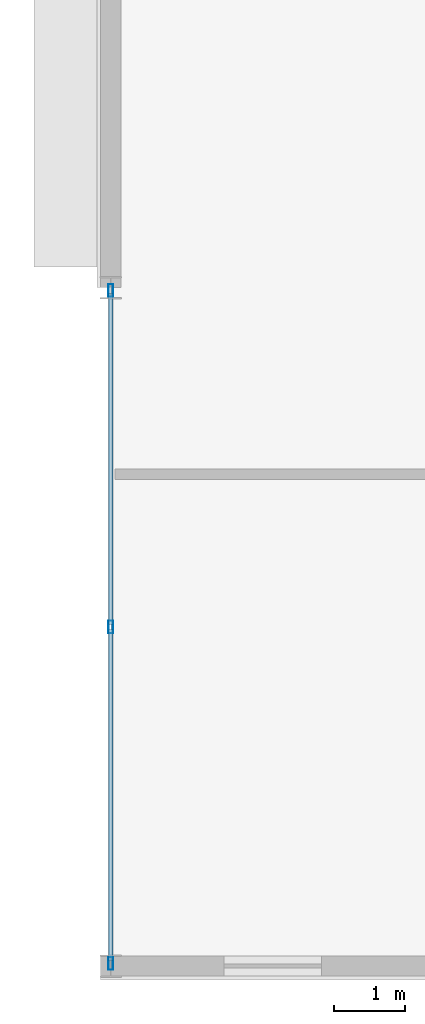
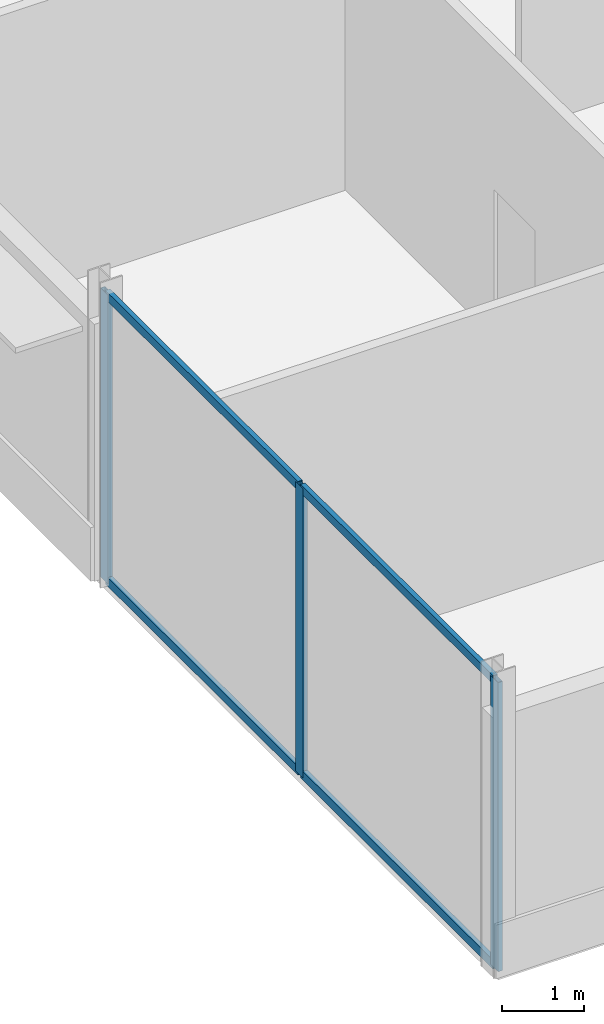
# One storey, part 3 of 10: 7 members, 1 element without a shape of its own.
"""IFC4 building model written with IfcOpenShell, lengths in metres."""

from ifc_helpers import new_model, si_unit, direction, frame, origin, origin_2d, place, context, subcontext, project, spatial, hollow_rectangle, extrude, material, material_profile, profile_set, type_object, element, aggregate, save


model = new_model("IFC4")

# Units and contexts
model_context = context("Model", 3, precision=1e-05, world=origin(), true_north=direction((0.0, 1.0)))
body_context = subcontext(model_context, "Body", "Model", "MODEL_VIEW")
ifc_project = project(units=[si_unit("LENGTHUNIT", "METRE"), si_unit("AREAUNIT", "SQUARE_METRE"), si_unit("VOLUMEUNIT", "CUBIC_METRE"), si_unit("PLANEANGLEUNIT", "RADIAN"), si_unit("MASSUNIT", "GRAM", prefix="KILO")], contexts=[model_context])

# Site, building, storey
site_placement = place(None, origin())
site = spatial("IfcSite", under=ifc_project, at=site_placement, CompositionType="ELEMENT")
building_placement = place(site_placement, origin())
building = spatial("IfcBuilding", under=site, at=building_placement, Name="Almandine Court Research Institute", CompositionType="ELEMENT")
storey_placement = place(building_placement, frame((0.0, 0.0, 41.64990234375)))
storey = spatial("IfcBuildingStorey", under=building, at=storey_placement, Name="L09", CompositionType="ELEMENT", Elevation=41.64990234375)

# Curtain wall, members
ifc_material_1 = material(Name="Unitised Curtain Wall Framing and Solar Glazing", Category="glass")
curtain_wall_type = type_object("IfcCurtainWallType", Name="CW-CWJ-11", PredefinedType="USERDEFINED", material=ifc_material_1)
curtain_wall_placement = place(storey_placement, origin())
curtain_wall = element("IfcCurtainWall", 1, at=curtain_wall_placement, inside=storey, type_object=curtain_wall_type, Name="L09 Wet Lab West Courtyard Jali Curtain Wall 1", ObjectType="SOLAR JALI SCREEN", PredefinedType="USERDEFINED")
ifc_material_2 = material(Name="Anodised Aluminium AW-6063-T6", Category="aluminium")
ifc_material_profile_1 = material_profile(ifc_material_2, hollow_rectangle(XDim=0.06494140625, YDim=0.179931640625, WallThickness=0.00390625, at=origin_2d()), Name="ALU RHS 65x180x4")
ifc_profile_set_1 = profile_set([ifc_material_profile_1], Name="Anodised Aluminium AW-6063-T6")
member_type_1 = type_object("IfcMemberType", Name="CWMul-65x180", PredefinedType="MULLION", material=ifc_profile_set_1)
member_1_placement = place(storey_placement, frame((153.60009765625, 6.03662109375, 0.0), z_axis=(0.0, 0.0, 1.0), x_axis=(-1.0, 0.0, 0.0)))
member_1 = element("IfcMember", 2, at=member_1_placement, type_object=member_type_1, Name="CWJ-11 mullion 1", PredefinedType="MULLION", context=body_context, shape_type="SweptSolid", body=[
    extrude(hollow_rectangle(XDim=0.06494140625, YDim=0.179931640625, WallThickness=0.00390625, at=origin_2d()), origin(), (0.0, 0.0, 1.0), 4.31005859375),
])
member_2_placement = place(storey_placement, frame((153.60009765625, 10.800048828125, 0.0), z_axis=(0.0, 0.0, 1.0), x_axis=(-1.0, 0.0, 0.0)))
member_2 = element("IfcMember", 3, at=member_2_placement, type_object=member_type_1, Name="CWJ-11 mullion 2", PredefinedType="MULLION", context=body_context, shape_type="SweptSolid", body=[
    extrude(hollow_rectangle(XDim=0.06494140625, YDim=0.179931640625, WallThickness=0.00390625, at=origin_2d()), origin(), (0.0, 0.0, 1.0), 4.31005859375),
])
member_3_placement = place(storey_placement, frame((153.60009765625, 15.5634765625, 0.0), z_axis=(0.0, 0.0, 1.0), x_axis=(-1.0, 0.0, 0.0)))
member_3 = element("IfcMember", 4, at=member_3_placement, type_object=member_type_1, Name="CWJ-11 mullion 3", PredefinedType="MULLION", context=body_context, shape_type="SweptSolid", body=[
    extrude(hollow_rectangle(XDim=0.06494140625, YDim=0.179931640625, WallThickness=0.00390625, at=origin_2d()), origin(), (0.0, 0.0, 1.0), 4.31005859375),
])
ifc_material_profile_2 = material_profile(ifc_material_2, hollow_rectangle(XDim=0.06494140625, YDim=0.1298828125, WallThickness=0.00390625, at=origin_2d()), Name="ALU RHS 65x130x4")
ifc_profile_set_2 = profile_set([ifc_material_profile_2], Name="Anodised Aluminium AW-6063-T6")
member_type_2 = type_object("IfcMemberType", Name="CWTrn-65x130", PredefinedType="NOTDEFINED", material=ifc_profile_set_2)
member_4_placement = place(storey_placement, frame((153.60009765625, 6.069091796875, 0.03271484375), z_axis=(0.0, 1.0, 0.0), x_axis=(-1.0, 0.0, 0.0)))
member_4 = element("IfcMember", 5, at=member_4_placement, type_object=member_type_2, Name="CWJ-11 transom 1.1", ObjectType="TRANSOM", PredefinedType="USERDEFINED", context=body_context, shape_type="SweptSolid", body=[
    extrude(hollow_rectangle(XDim=0.06494140625, YDim=0.1298828125, WallThickness=0.00390625, at=origin_2d()), origin(), (0.0, 0.0, 1.0), 4.698486328125),
])
member_5_placement = place(storey_placement, frame((153.60009765625, 6.069091796875, 4.277587890625), z_axis=(0.0, 1.0, 0.0), x_axis=(-1.0, 0.0, 0.0)))
member_5 = element("IfcMember", 6, at=member_5_placement, type_object=member_type_2, Name="CWJ-11 transom 1.2", ObjectType="TRANSOM", PredefinedType="USERDEFINED", context=body_context, shape_type="SweptSolid", body=[
    extrude(hollow_rectangle(XDim=0.06494140625, YDim=0.1298828125, WallThickness=0.00390625, at=origin_2d()), origin(), (0.0, 0.0, 1.0), 4.698486328125),
])
member_6_placement = place(storey_placement, frame((153.60009765625, 10.83251953125, 0.03271484375), z_axis=(0.0, 1.0, 0.0), x_axis=(-1.0, 0.0, 0.0)))
member_6 = element("IfcMember", 7, at=member_6_placement, type_object=member_type_2, Name="CWJ-11 transom 2.1", ObjectType="TRANSOM", PredefinedType="USERDEFINED", context=body_context, shape_type="SweptSolid", body=[
    extrude(hollow_rectangle(XDim=0.06494140625, YDim=0.1298828125, WallThickness=0.00390625, at=origin_2d()), origin(), (0.0, 0.0, 1.0), 4.698486328125),
])
member_7_placement = place(storey_placement, frame((153.60009765625, 10.83251953125, 4.277587890625), z_axis=(0.0, 1.0, 0.0), x_axis=(-1.0, 0.0, 0.0)))
member_7 = element("IfcMember", 8, at=member_7_placement, type_object=member_type_2, Name="CWJ-11 transom 2.2", ObjectType="TRANSOM", PredefinedType="USERDEFINED", context=body_context, shape_type="SweptSolid", body=[
    extrude(hollow_rectangle(XDim=0.06494140625, YDim=0.1298828125, WallThickness=0.00390625, at=origin_2d()), origin(), (0.0, 0.0, 1.0), 4.698486328125),
])
aggregate(curtain_wall, [member_1, member_2, member_3, member_4, member_5, member_6, member_7])

save(model, "model.ifc")
